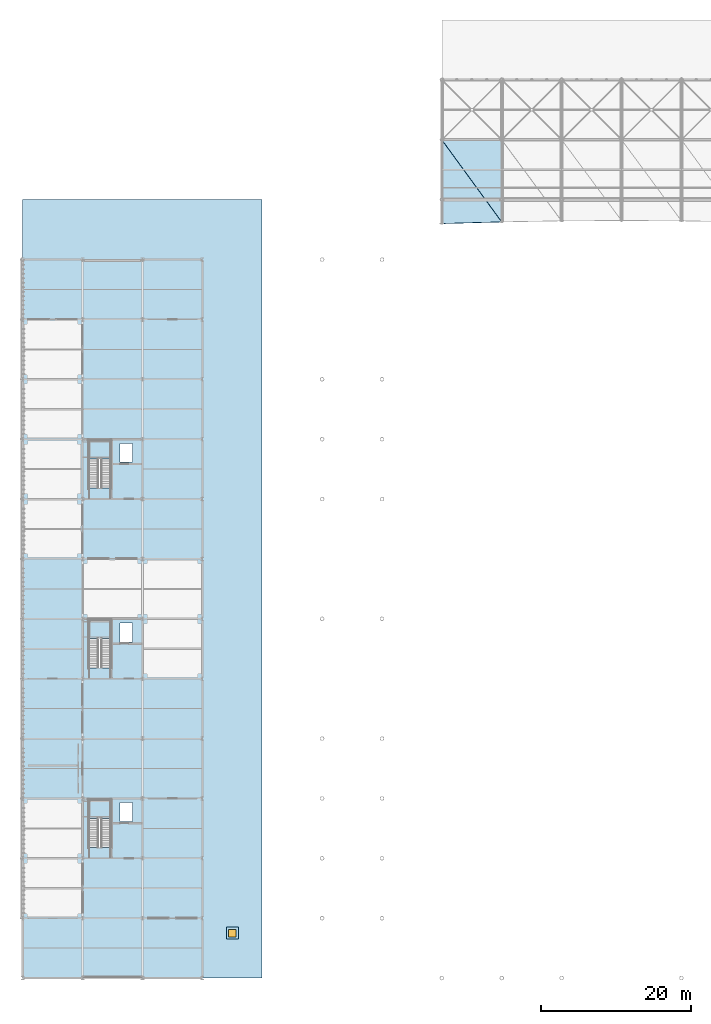
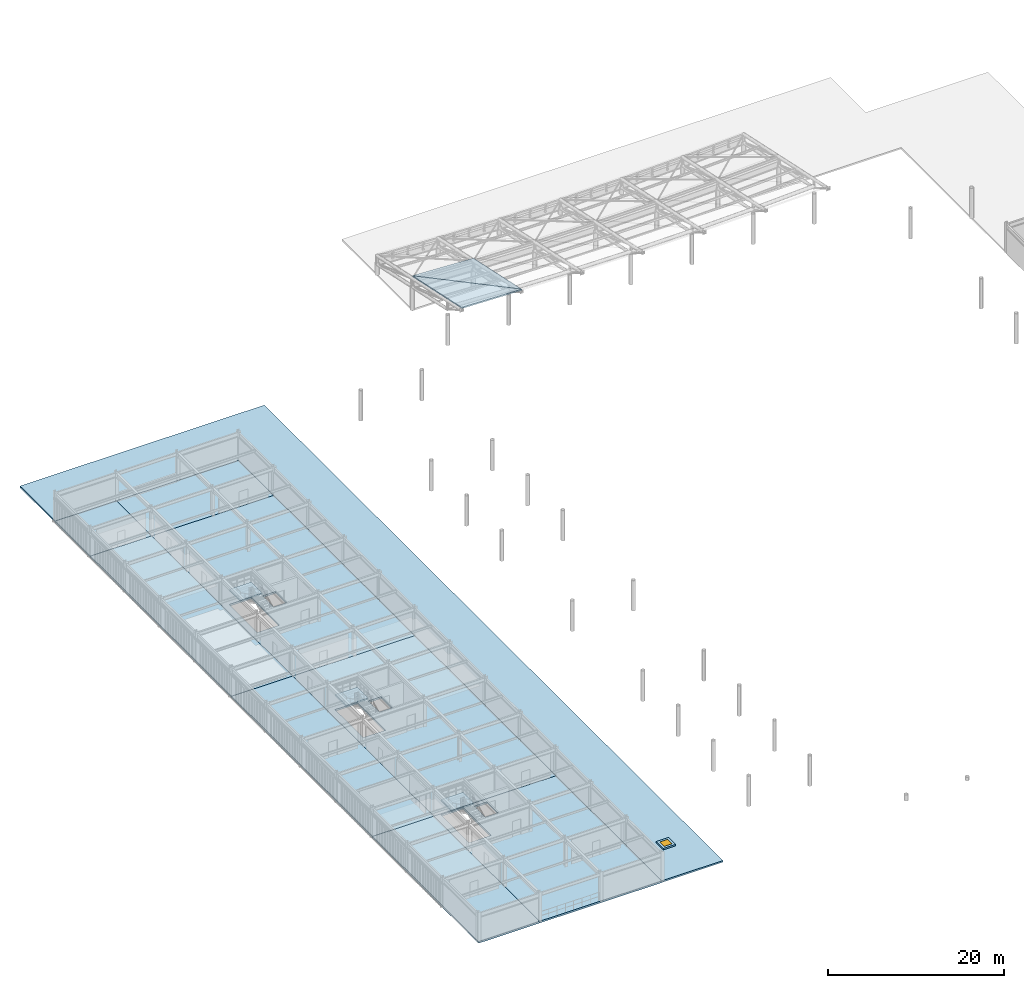
# One storey, part 30 of 54: 15 slabs, 1 door, 1 opening, 3 elements without a shape of their own.
"""IFC4 building model written with IfcOpenShell, lengths in metres."""

from ifc_helpers import new_model, si_unit, direction, frame, origin, origin_2d, place, context, subcontext, project, spatial, polyline, rectangle, outline, extrude, material, layer, layer_set, type_object, element, fill, aggregate, save


model = new_model("IFC4")

# Units and contexts
model_context = context("Model", 3, precision=1e-05, world=origin(), true_north=direction((0.0, 1.0)))
body_context = subcontext(model_context, "Body", "Model", "MODEL_VIEW")
ifc_project = project(units=[si_unit("LENGTHUNIT", "METRE"), si_unit("AREAUNIT", "SQUARE_METRE"), si_unit("VOLUMEUNIT", "CUBIC_METRE"), si_unit("PLANEANGLEUNIT", "RADIAN"), si_unit("MASSUNIT", "GRAM", prefix="KILO")], contexts=[model_context])

# Site, building, storey
site_placement = place(None, origin())
site = spatial("IfcSite", under=ifc_project, at=site_placement, CompositionType="ELEMENT")
building_placement = place(site_placement, origin())
building = spatial("IfcBuilding", under=site, at=building_placement, Name="Haebicheon Civic Stadium", CompositionType="ELEMENT")
storey_placement = place(building_placement, frame((0.0, 0.0, 22.800048828125)))
storey = spatial("IfcBuildingStorey", under=building, at=storey_placement, Name="L06", CompositionType="ELEMENT", Elevation=22.800048828125)

# Slabs
ifc_material_1 = material(Name="White painted steel SM490", Category="steel")
ifc_layer_1 = layer(ifc_material_1, 0.159912109375, Name="White painted steel SM490")
ifc_layer_set_1 = layer_set([ifc_layer_1], Name="White painted steel SM490")
slab_type_1 = type_object("IfcSlabType", Name="SLB-CAN-160", PredefinedType="ROOF", material=ifc_layer_set_1)
slab_1_placement = place(storey_placement, frame((80.0, 152.0, 4.659912109375), z_axis=(0.044844821103, 0.209982700605, 0.976676101616), x_axis=(0.0, -0.977659661495, 0.210194163299)))
element("IfcSlab", 1, at=slab_1_placement, inside=storey, type_object=slab_type_1, material=ifc_layer_set_1, Name="CAN-NORTH curled canopy facet 1.CT-A", PredefinedType="ROOF", context=body_context, shape_type="SweptSolid", body=[
    extrude(outline(polyline([(0.0, 0.0), (11.455879395437805, 1.3877787807814457e-17), (11.151674632276901, 8.00805638535099), (0.0, 0.0)])), origin(), (0.0, 0.0, -1.0), 0.159912109375),
])
slab_2_placement = place(storey_placement, frame((80.0, 152.0, 4.659912109375), z_axis=(0.044798515274, 0.209950594991, 0.976685128735), x_axis=(0.582702921999, -0.799616076373, 0.145160032723)))
element("IfcSlab", 2, at=slab_2_placement, inside=storey, type_object=slab_type_1, material=ifc_layer_set_1, Name="CAN-NORTH curled canopy facet 1.CT-B", PredefinedType="ROOF", context=body_context, shape_type="SweptSolid", body=[
    extrude(outline(polyline([(0.0, 0.0), (13.729122847987373, 8.326672684688674e-16), (4.608357865934365, 6.549632448349318), (0.0, 0.0)])), origin(), (0.0, 0.0, -1.0), 0.159912109375),
])

# Slab, opening, door
ifc_material_2 = material(Name="Precast concrete C40/50", Category="concrete")
ifc_layer_2 = layer(ifc_material_2, 0.2099609375, Name="Precast concrete C40/50")
ifc_layer_set_2 = layer_set([ifc_layer_2], Name="Precast concrete C40/50")
slab_type_2 = type_object("IfcSlabType", Name="SLB-CRB-210", PredefinedType="ROOF", material=ifc_layer_set_2)
slab_3_placement = place(storey_placement, origin())
slab_3 = element("IfcSlab", 3, at=slab_3_placement, inside=storey, type_object=slab_type_2, material=ifc_layer_set_2, Name="Rooftop hatch upstand curb 05", PredefinedType="ROOF", context=body_context, shape_type="SweptSolid", body=[
    extrude(outline(polyline([(51.199951171875, 45.199951171875), (52.800048828125, 45.199951171875), (52.800048828125, 46.800048828125), (51.199951171875, 46.800048828125), (51.199951171875, 45.199951171875)]), holes=[polyline([(51.5, 45.5), (52.5, 45.5), (52.5, 46.5), (51.5, 46.5), (51.5, 45.5)])]), origin(), (0.0, 0.0, 1.0), 0.2099609375),
])
opening_placement = place(slab_3_placement, frame((52.0, 46.0, -0.010009765625)))
opening = element("IfcOpeningElement", 4, at=opening_placement, cuts=slab_3, Name="Opening HTCH-05", PredefinedType="OPENING", context=body_context, shape_type="SweptSolid", body=[
    extrude(rectangle(XDim=1.0, YDim=1.0, at=origin_2d()), origin(), (0.0, 0.0, 1.0), 0.22998046875),
])
ifc_material_3 = material(Name="Anodised aluminium 6063-T6", Category="aluminium")
door_type = type_object("IfcDoorType", Name="ED-HTCH-1000", OperationType="NOTDEFINED", PredefinedType="TRAPDOOR", material=ifc_material_3)
door_placement = place(slab_3_placement, frame((52.0, 46.0, 0.159912109375)))
door = element("IfcDoor", 5, at=door_placement, inside=storey, type_object=door_type, material=ifc_material_3, Name="Roof maintenance access hatch HTCH-05", OperationType="SINGLE_SWING_LEFT", OverallHeight=1.0, OverallWidth=1.0, PredefinedType="TRAPDOOR", context=body_context, shape_type="SweptSolid", body=[
    extrude(rectangle(XDim=1.0, YDim=1.0, at=origin_2d()), origin(), (0.0, 0.0, 1.0), 0.050048828125),
])
fill(opening, door)

# Slabs
ifc_material_4 = material(Name="Concrete C35/45", Category="concrete")
ifc_layer_3 = layer(ifc_material_4, 0.25, Name="Concrete C35/45")
ifc_layer_set_3 = layer_set([ifc_layer_3], Name="Concrete C35/45")
slab_type_3 = type_object("IfcSlabType", Name="SLB-FLR-250", PredefinedType="FLOOR", material=ifc_layer_set_3)
slab_4_placement = place(storey_placement, frame((0.0, 0.0, -0.25)))
element("IfcSlab", 6, at=slab_4_placement, inside=storey, type_object=slab_type_3, material=ifc_layer_set_3, Name="L06 V1 structural slab 1.1", PredefinedType="FLOOR", context=body_context, shape_type="SweptSolid", body=[
    extrude(outline(polyline([(32.0, 40.0), (24.0, 40.0), (24.0, 48.0), (24.0, 56.0), (24.0, 64.0), (32.0, 64.0), (32.0, 56.0), (32.0, 48.0), (32.0, 40.0)])), origin(), (0.0, 0.0, 1.0), 0.25),
])
slab_5_placement = place(storey_placement, frame((0.0, 0.0, -0.25)))
element("IfcSlab", 7, at=slab_5_placement, inside=storey, type_object=slab_type_3, material=ifc_layer_set_3, Name="L06 V1 structural slab 2.1", PredefinedType="FLOOR", context=body_context, shape_type="SweptSolid", body=[
    extrude(outline(polyline([(24.0, 64.0), (24.0, 72.0), (24.0, 80.0), (24.0, 88.0), (24.0, 96.0), (32.0, 96.0), (32.0, 88.0), (32.0, 80.0), (32.0, 72.0), (32.0, 64.0), (24.0, 64.0)])), origin(), (0.0, 0.0, 1.0), 0.25),
])
slab_6_placement = place(storey_placement, frame((0.0, 0.0, -0.25)))
element("IfcSlab", 8, at=slab_6_placement, inside=storey, type_object=slab_type_3, material=ifc_layer_set_3, Name="L06 V1 structural slab 3.1", PredefinedType="FLOOR", context=body_context, shape_type="SweptSolid", body=[
    extrude(outline(polyline([(24.0, 96.0), (24.0, 104.0), (24.0, 112.0), (24.0, 120.0), (24.0, 128.0), (32.0, 128.0), (32.0, 120.0), (32.0, 112.0), (32.0, 104.0), (32.0, 96.0), (24.0, 96.0)])), origin(), (0.0, 0.0, 1.0), 0.25),
])
slab_7_placement = place(storey_placement, frame((0.0, 0.0, -0.25)))
element("IfcSlab", 9, at=slab_7_placement, inside=storey, type_object=slab_type_3, material=ifc_layer_set_3, Name="L06 V1 structural slab 4.1", PredefinedType="FLOOR", context=body_context, shape_type="SweptSolid", body=[
    extrude(outline(polyline([(32.0, 128.0), (24.0, 128.0), (24.0, 136.0), (32.0, 136.0), (32.0, 128.0)])), origin(), (0.0, 0.0, 1.0), 0.25),
])
slab_8_placement = place(storey_placement, frame((0.0, 0.0, -0.25)))
element("IfcSlab", 10, at=slab_8_placement, inside=storey, type_object=slab_type_3, material=ifc_layer_set_3, Name="L06 V1 structural slab 5.1", PredefinedType="FLOOR", context=body_context, shape_type="SweptSolid", body=[
    extrude(outline(polyline([(32.0, 48.0), (32.0, 56.0), (32.0, 64.0), (40.0, 64.0), (48.0, 64.0), (48.0, 56.0), (48.0, 48.0), (48.0, 40.0), (40.0, 40.0), (32.0, 40.0), (32.0, 48.0)]), holes=[polyline([(32.840087890625, 57.4599609375), (35.739990234375, 57.4599609375), (35.739990234375, 63.840087890625), (32.840087890625, 63.840087890625), (32.840087890625, 57.4599609375)]), polyline([(36.969970703125, 60.929931640625), (38.669921875, 60.929931640625), (38.669921875, 63.429931640625), (36.969970703125, 63.429931640625), (36.969970703125, 60.929931640625)])]), origin(), (0.0, 0.0, 1.0), 0.25),
])
slab_9_placement = place(storey_placement, frame((0.0, 0.0, -0.25)))
element("IfcSlab", 11, at=slab_9_placement, inside=storey, type_object=slab_type_3, material=ifc_layer_set_3, Name="L06 V1 structural slab 6.1", PredefinedType="FLOOR", context=body_context, shape_type="SweptSolid", body=[
    extrude(outline(polyline([(32.0, 80.0), (32.0, 88.0), (32.0, 96.0), (40.0, 96.0), (48.0, 96.0), (48.0, 88.0), (48.0, 80.0), (48.0, 72.0), (48.0, 64.0), (40.0, 64.0), (32.0, 64.0), (32.0, 72.0), (32.0, 80.0)]), holes=[polyline([(32.840087890625, 81.4599609375), (35.739990234375, 81.4599609375), (35.739990234375, 87.840087890625), (32.840087890625, 87.840087890625), (32.840087890625, 81.4599609375)]), polyline([(36.969970703125, 84.929931640625), (38.669921875, 84.929931640625), (38.669921875, 87.429931640625), (36.969970703125, 87.429931640625), (36.969970703125, 84.929931640625)])]), origin(), (0.0, 0.0, 1.0), 0.25),
])
slab_10_placement = place(storey_placement, frame((0.0, 0.0, -0.25)))
element("IfcSlab", 12, at=slab_10_placement, inside=storey, type_object=slab_type_3, material=ifc_layer_set_3, Name="L06 V1 structural slab 7.1", PredefinedType="FLOOR", context=body_context, shape_type="SweptSolid", body=[
    extrude(outline(polyline([(32.0, 112.0), (32.0, 120.0), (32.0, 128.0), (40.0, 128.0), (48.0, 128.0), (48.0, 120.0), (48.0, 112.0), (48.0, 104.0), (48.0, 96.0), (40.0, 96.0), (32.0, 96.0), (32.0, 104.0), (32.0, 112.0)]), holes=[polyline([(32.840087890625, 105.4599609375), (35.739990234375, 105.4599609375), (35.739990234375, 111.840087890625), (32.840087890625, 111.840087890625), (32.840087890625, 105.4599609375)]), polyline([(36.969970703125, 108.929931640625), (38.669921875, 108.929931640625), (38.669921875, 111.429931640625), (36.969970703125, 111.429931640625), (36.969970703125, 108.929931640625)])]), origin(), (0.0, 0.0, 1.0), 0.25),
])
slab_11_placement = place(storey_placement, frame((0.0, 0.0, -0.25)))
element("IfcSlab", 13, at=slab_11_placement, inside=storey, type_object=slab_type_3, material=ifc_layer_set_3, Name="L06 V1 structural slab 8.1", PredefinedType="FLOOR", context=body_context, shape_type="SweptSolid", body=[
    extrude(outline(polyline([(32.0, 128.0), (32.0, 136.0), (40.0, 136.0), (48.0, 136.0), (48.0, 128.0), (40.0, 128.0), (32.0, 128.0)])), origin(), (0.0, 0.0, 1.0), 0.25),
])

# Stair, slab
ifc_material_5 = material(Name="Concrete C40/50", Category="concrete")
stair_type_1 = type_object("IfcStairType", Name="STR-DL-W128-H42", PredefinedType="HALF_TURN_STAIR", material=ifc_material_5)
stair_1_placement = place(storey_placement, origin())
stair_1 = element("IfcStair", 14, at=stair_1_placement, inside=storey, type_object=stair_type_1, material=ifc_material_5, Name="L06 Escape stair ST-02", PredefinedType="HALF_TURN_STAIR")
ifc_material_6 = material(Name="Concrete C40/50", Category="concrete")
ifc_layer_4 = layer(ifc_material_6, 0.199951171875, Name="Concrete C40/50")
ifc_layer_set_4 = layer_set([ifc_layer_4], Name="Concrete C40/50")
slab_type_4 = type_object("IfcSlabType", Name="SLB-LND-200", PredefinedType="LANDING", material=ifc_layer_set_4)
slab_12_placement = place(storey_placement, frame((0.0, 0.0, 1.89990234375)))
slab_12 = element("IfcSlab", 15, at=slab_12_placement, type_object=slab_type_4, material=ifc_layer_set_4, Name="ST-02 landing 1", PredefinedType="LANDING", context=body_context, shape_type="SweptSolid", body=[
    extrude(outline(polyline([(35.739990234375, 61.35009765625), (35.739990234375, 63.840087890625), (32.840087890625, 63.840087890625), (32.840087890625, 61.35009765625), (35.739990234375, 61.35009765625)])), origin(), (0.0, 0.0, 1.0), 0.199951171875),
])
aggregate(stair_1, [slab_12])

ifc_material_7 = material(Name="Concrete C40/50", Category="concrete")
stair_type_2 = type_object("IfcStairType", Name="STR-DL-W126-H42", PredefinedType="HALF_TURN_STAIR", material=ifc_material_7)
stair_2_placement = place(storey_placement, origin())
stair_2 = element("IfcStair", 16, at=stair_2_placement, inside=storey, type_object=stair_type_2, material=ifc_material_7, Name="L06 Escape stair ST-03", PredefinedType="HALF_TURN_STAIR")
slab_13_placement = place(storey_placement, frame((0.0, 0.0, 1.89990234375)))
slab_13 = element("IfcSlab", 17, at=slab_13_placement, type_object=slab_type_4, material=ifc_layer_set_4, Name="ST-03 landing 1", PredefinedType="LANDING", context=body_context, shape_type="SweptSolid", body=[
    extrude(outline(polyline([(35.739990234375, 85.35009765625), (35.739990234375, 87.840087890625), (32.840087890625, 87.840087890625), (32.840087890625, 85.35009765625), (35.739990234375, 85.35009765625)])), origin(), (0.0, 0.0, 1.0), 0.199951171875),
])
aggregate(stair_2, [slab_13])

stair_3_placement = place(storey_placement, origin())
stair_3 = element("IfcStair", 18, at=stair_3_placement, inside=storey, type_object=stair_type_1, material=ifc_material_5, Name="L06 Escape stair ST-04", PredefinedType="HALF_TURN_STAIR")
slab_14_placement = place(storey_placement, frame((0.0, 0.0, 1.89990234375)))
slab_14 = element("IfcSlab", 19, at=slab_14_placement, type_object=slab_type_4, material=ifc_layer_set_4, Name="ST-04 landing 1", PredefinedType="LANDING", context=body_context, shape_type="SweptSolid", body=[
    extrude(outline(polyline([(35.739990234375, 109.35009765625), (35.739990234375, 111.840087890625), (32.840087890625, 111.840087890625), (32.840087890625, 109.35009765625), (35.739990234375, 109.35009765625)])), origin(), (0.0, 0.0, 1.0), 0.199951171875),
])
aggregate(stair_3, [slab_14])

# Slab
ifc_material_8 = material(Name="Concrete C40/50", Category="concrete")
ifc_layer_5 = layer(ifc_material_8, 0.219970703125, Name="Concrete C40/50")
ifc_layer_set_5 = layer_set([ifc_layer_5], Name="Concrete C40/50")
slab_type_5 = type_object("IfcSlabType", Name="SLB-ROOF-220", PredefinedType="ROOF", material=ifc_layer_set_5)
slab_15_placement = place(storey_placement, frame((0.0, 0.0, -0.219970703125)))
element("IfcSlab", 20, at=slab_15_placement, inside=storey, type_object=slab_type_5, material=ifc_layer_set_5, Name="L06 V1 roof deck slab 1", PredefinedType="ROOF", context=body_context, shape_type="SweptSolid", body=[
    extrude(outline(polyline([(48.0, 40.0), (48.0, 136.0), (24.0, 136.0), (24.0, 144.0), (56.0, 144.0), (56.0, 40.0), (48.0, 40.0)]), holes=[polyline([(51.5, 45.5), (52.5, 45.5), (52.5, 46.5), (51.5, 46.5), (51.5, 45.5)])]), origin(), (0.0, 0.0, 1.0), 0.219970703125),
])

save(model, "model.ifc")
